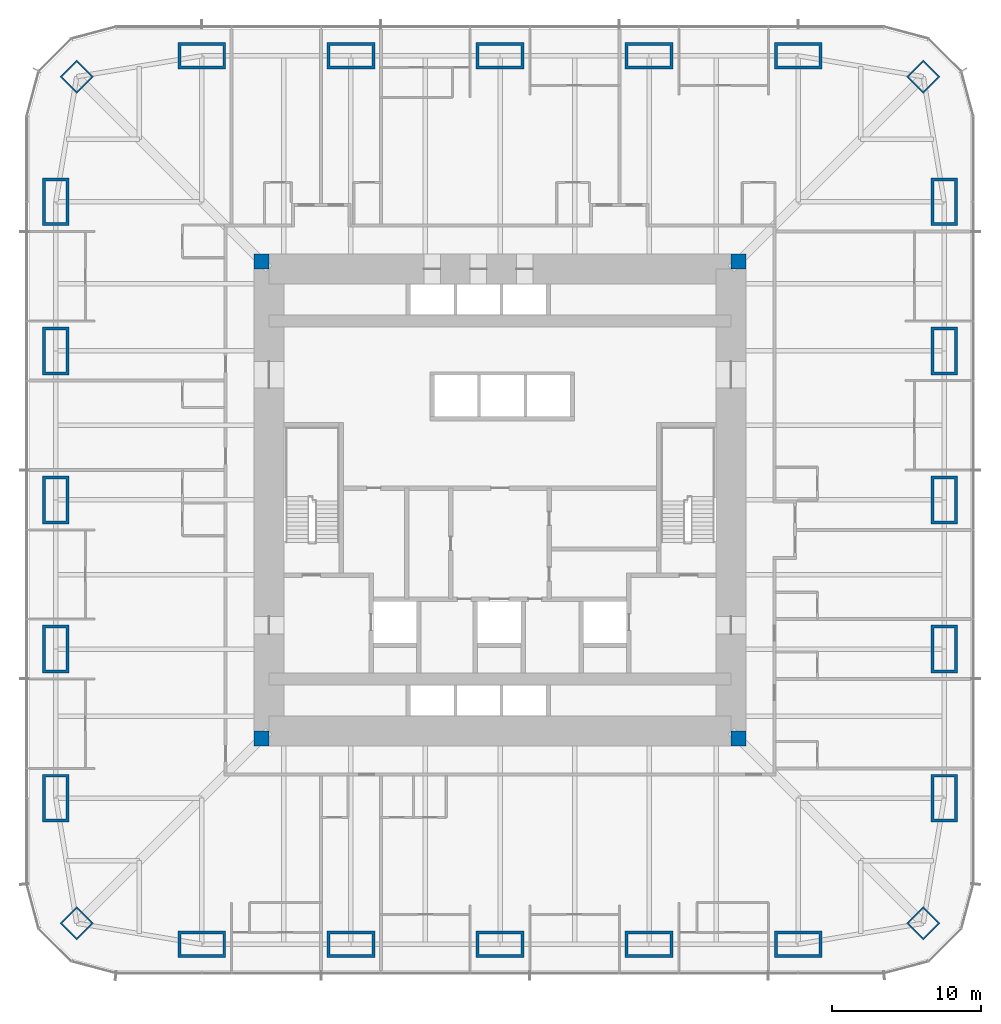
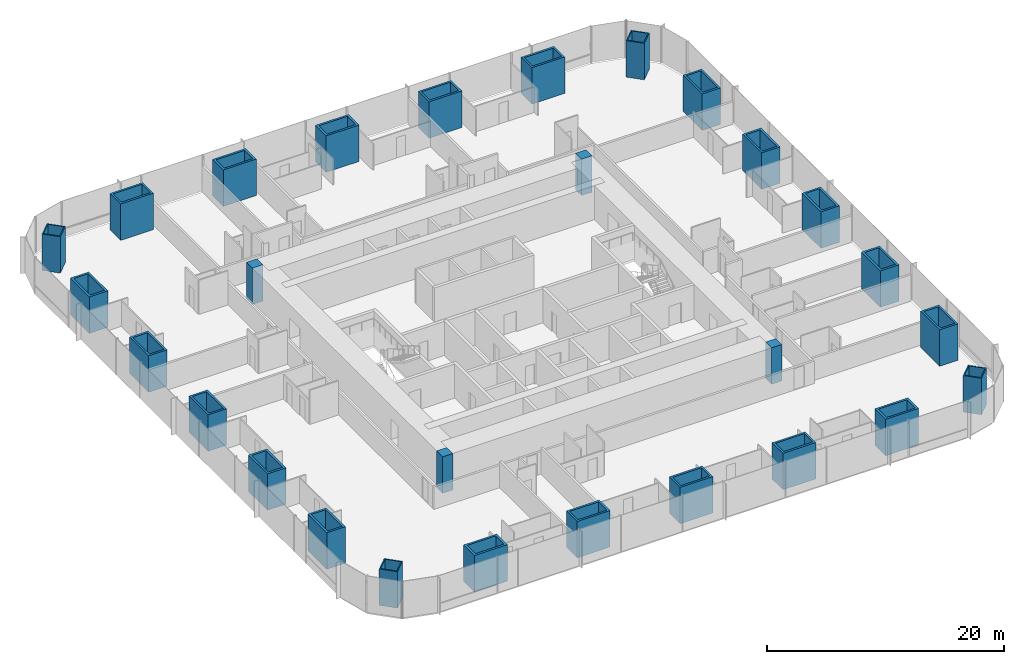
# One storey, part 1 of 17: 28 columns.
"""IFC4 building model written with IfcOpenShell, lengths in metres."""

import ifcopenshell
import ifcopenshell.guid

model = None  # the IFC model being written
_history = None  # IfcOwnerHistory: only IFC2X3 demands one
_inside = {}  # id of a spatial element -> (the spatial element, [elements in it])
_under = {}  # id of a project, library or spatial element -> (it, [spatial elements below it])
_declared = {}  # id of a project -> (the project, [libraries it declares])
_typed = {}  # id of a type object -> (the type object, [elements of that type])
_made_of = {}  # id of a material, layer set ... -> (it, [elements and type objects made of it])


def new_model(schema):
    """Start an empty IFC model of exactly this schema.

    Asked for "IFC4X3", IfcOpenShell would pick the latest addendum, in which some entities
    have other attributes; the version numbers below select the first issue.
    IFC2X3 requires an IfcOwnerHistory on every rooted entity: one is made here for all.
    """
    global model, _history
    if schema == "IFC4X3":
        model = ifcopenshell.file(schema_version=(4, 3, 0, 0))
    else:
        model = ifcopenshell.file(schema=schema)
    _inside.clear()
    _under.clear()
    _declared.clear()
    _typed.clear()
    _made_of.clear()
    _history = None
    if model.schema == "IFC2X3":
        org = make("IfcOrganization", Name="unknown")
        user = make(
            "IfcPersonAndOrganization",
            ThePerson=make("IfcPerson", FamilyName="unknown"),
            TheOrganization=org,
        )
        app = make(
            "IfcApplication",
            ApplicationDeveloper=org,
            Version="unknown",
            ApplicationFullName="unknown",
            ApplicationIdentifier="unknown",
        )
        _history = make(
            "IfcOwnerHistory",
            OwningUser=user,
            OwningApplication=app,
            ChangeAction="ADDED",
            CreationDate=0,
        )
    return model


def make(cls, **values):
    """One entity of the class cls with the attributes given. An attribute that is None is left unset."""
    return model.create_entity(
        cls, **{name: value for name, value in values.items() if value is not None}
    )


def rooted(cls, **values):
    """An entity with a GlobalId (a new one), such as an element, a storey or a relation."""
    return make(cls, GlobalId=ifcopenshell.guid.new(), OwnerHistory=_history, **values)


def si_unit(unit_type, name, prefix=None):
    """IfcSIUnit, for example si_unit("LENGTHUNIT", "METRE", prefix="MILLI")."""
    return make("IfcSIUnit", UnitType=unit_type, Prefix=prefix, Name=name)


def assignment(units):
    """IfcUnitAssignment: the units of a project."""
    return None if units is None else make("IfcUnitAssignment", Units=units)


def point(xyz):
    """IfcCartesianPoint."""
    return None if xyz is None else make("IfcCartesianPoint", Coordinates=xyz)


def direction(xyz):
    """IfcDirection."""
    return None if xyz is None else make("IfcDirection", DirectionRatios=xyz)


def frame(location, z_axis=None, x_axis=None):
    """IfcAxis2Placement3D, a coordinate frame: its origin and axes. An axis left out is left unset."""
    return make(
        "IfcAxis2Placement3D",
        Location=point(location),
        Axis=direction(z_axis),
        RefDirection=direction(x_axis),
    )


def frame_2d(location, x_axis=None):
    """IfcAxis2Placement2D, a coordinate frame in the plane: its origin and x axis."""
    return make(
        "IfcAxis2Placement2D", Location=point(location), RefDirection=direction(x_axis)
    )


def origin():
    """The frame at (0, 0, 0) with its axes left unset."""
    return frame((0.0, 0.0, 0.0))


def origin_2d():
    """The frame at (0, 0) in the plane with its x axis left unset."""
    return frame_2d((0.0, 0.0))


def place(relative_to, where):
    """IfcLocalPlacement: puts the frame where relative to a parent placement (None: the world)."""
    return make(
        "IfcLocalPlacement", PlacementRelTo=relative_to, RelativePlacement=where
    )


def context(
    kind, dimensions, precision=None, world=None, true_north=None, identifier=None
):
    """IfcGeometricRepresentationContext, for example the 3D "Model" context."""
    return make(
        "IfcGeometricRepresentationContext",
        ContextIdentifier=identifier,
        ContextType=kind,
        CoordinateSpaceDimension=dimensions,
        Precision=precision,
        WorldCoordinateSystem=world,
        TrueNorth=true_north,
    )


def subcontext(parent, identifier, kind, view, scale=None):
    """IfcGeometricRepresentationSubContext, for example "Body" below "Model"."""
    return make(
        "IfcGeometricRepresentationSubContext",
        ContextIdentifier=identifier,
        ContextType=kind,
        ParentContext=parent,
        TargetScale=scale,
        TargetView=view,
    )


def project(units=None, contexts=None):
    """IfcProject with its units and contexts."""
    return rooted(
        "IfcProject",
        Name="project",
        RepresentationContexts=contexts,
        UnitsInContext=assignment(units),
    )


def spatial(cls, under=None, at=None, **own):
    """A site, building, storey or space (cls), placed at a placement, below another one or the project."""
    s = rooted(cls, ObjectPlacement=at, **own)
    if under is not None:
        _under.setdefault(under.id(), (under, []))[1].append(s)
    return s


def profile(cls, at=None, kind="AREA", **sizes):
    """A parametric profile (cls). Its sizes go by their IFC names, for example OverallWidth=200.0."""
    return make(cls, ProfileType=kind, Position=at, **sizes)


def rectangle(**sizes):
    """IfcRectangleProfileDef."""
    return profile("IfcRectangleProfileDef", **sizes)


def hollow_rectangle(**sizes):
    """IfcRectangleHollowProfileDef."""
    return profile("IfcRectangleHollowProfileDef", **sizes)


def extrude(swept, where, along, depth):
    """IfcExtrudedAreaSolid: the profile swept, set in the frame where, extruded along a direction by depth."""
    return make(
        "IfcExtrudedAreaSolid",
        SweptArea=swept,
        Position=where,
        ExtrudedDirection=direction(along),
        Depth=depth,
    )


def shape(context_of_items, identifier, shape_type, items):
    """IfcShapeRepresentation: the items that make up one representation, for example the "Body"."""
    return make(
        "IfcShapeRepresentation",
        ContextOfItems=context_of_items,
        RepresentationIdentifier=identifier,
        RepresentationType=shape_type,
        Items=items,
    )


def material(Name=None, Category=None):
    """IfcMaterial."""
    return make("IfcMaterial", Name=Name, Category=Category)


def material_profile(
    of_material, cross_section, Name=None, Category=None, Priority=None
):
    """IfcMaterialProfile: a cross section and its material."""
    return make(
        "IfcMaterialProfile",
        Name=Name,
        Material=of_material,
        Profile=cross_section,
        Priority=Priority,
        Category=Category,
    )


def profile_set(profiles, Name=None, composite=None):
    """IfcMaterialProfileSet."""
    return make(
        "IfcMaterialProfileSet",
        Name=Name,
        MaterialProfiles=profiles,
        CompositeProfile=composite,
    )


def made_of(thing, what):
    """Note that an element or type object is made of a material, layer set ...; save() writes the relation."""
    if what is not None:
        _made_of.setdefault(what.id(), (what, []))[1].append(thing)
    return thing


def type_object(cls, material=None, **own):
    """A type object (cls), such as IfcWallType, which elements share."""
    return made_of(rooted(cls, **own), material)


def element(
    cls,
    number,
    at=None,
    inside=None,
    cuts=None,
    type_object=None,
    material=None,
    context=None,
    identifier="Body",
    shape_type=None,
    held_by="IfcProductDefinitionShape",
    body=None,
    shapes=None,
    **own,
):
    """One element of the class cls, such as IfcWall. Its Tag is "e" and its number.

    at: its placement. inside: the storey or other place that contains it. cuts: it is an
    opening in that element (IfcRelVoidsElement). A single representation is given by context,
    identifier, shape_type and body (its items); several are given by shapes. held_by: the class
    of the entity that holds the representations. save() writes the other relations.
    """
    e = rooted(cls, Tag="e%d" % number, ObjectPlacement=at, **own)
    if body is not None:
        shapes = [shape(context, identifier, shape_type, body)]
    if shapes is not None:
        e.Representation = make(held_by, Representations=shapes)
    if inside is not None:
        _inside.setdefault(inside.id(), (inside, []))[1].append(e)
    if cuts is not None:
        rooted(
            "IfcRelVoidsElement", RelatingBuildingElement=cuts, RelatedOpeningElement=e
        )
    if type_object is not None:
        _typed.setdefault(type_object.id(), (type_object, []))[1].append(e)
    return made_of(e, material)


def aggregate(whole, parts):
    """IfcRelAggregates: a whole, such as a stair, and the parts it consists of."""
    return rooted("IfcRelAggregates", RelatingObject=whole, RelatedObjects=parts)


def save(model, path):
    """Write the relations noted so far, then the file.

    IfcRelAggregates (storeys below a building ...), IfcRelContainedInSpatialStructure (elements
    in a storey), IfcRelDefinesByType, IfcRelAssociatesMaterial and IfcRelDeclares: one each for
    every whole, place, type object, material and project.
    """
    for whole, parts in _under.values():
        aggregate(whole, parts)
    for where, things in _inside.values():
        rooted(
            "IfcRelContainedInSpatialStructure",
            RelatedElements=things,
            RelatingStructure=where,
        )
    for kind, things in _typed.values():
        rooted("IfcRelDefinesByType", RelatedObjects=things, RelatingType=kind)
    for what, things in _made_of.values():
        rooted("IfcRelAssociatesMaterial", RelatedObjects=things, RelatingMaterial=what)
    for by, libraries in _declared.values():
        rooted("IfcRelDeclares", RelatingContext=by, RelatedDefinitions=libraries)
    model.write(path)


model = new_model("IFC4")

# Units and contexts
model_context = context("Model", 3, precision=1e-05, world=origin(), true_north=direction((0.0, 1.0)))
body_context = subcontext(model_context, "Body", "Model", "MODEL_VIEW")
ifc_project = project(units=[si_unit("LENGTHUNIT", "METRE"), si_unit("AREAUNIT", "SQUARE_METRE"), si_unit("VOLUMEUNIT", "CUBIC_METRE"), si_unit("PLANEANGLEUNIT", "RADIAN"), si_unit("MASSUNIT", "GRAM", prefix="KILO")], contexts=[model_context])

# Site, building, storey
site_placement = place(None, origin())
site = spatial("IfcSite", under=ifc_project, at=site_placement, CompositionType="ELEMENT")
building_placement = place(site_placement, origin())
building = spatial("IfcBuilding", under=site, at=building_placement, Name="Khuree Lantern Residences", CompositionType="ELEMENT")
storey_placement = place(building_placement, frame((0.0, 0.0, 39.75)))
storey = spatial("IfcBuildingStorey", under=building, at=storey_placement, Name="L09", CompositionType="ELEMENT", Elevation=39.75)

# Columns
ifc_material_1 = material(Name="Steel S355 CFT welded box", Category="steel")
ifc_material_profile_1 = material_profile(ifc_material_1, hollow_rectangle(XDim=1.60009765625, YDim=1.60009765625, WallThickness=0.10009765625, at=origin_2d()), Name="WELDED BOX 1600X1600X100")
ifc_profile_set_1 = profile_set([ifc_material_profile_1], Name="Steel S355 CFT welded box")
column_type_1 = type_object("IfcColumnType", Name="CC1600 PERIMETER CORNER MEGA COLUMN WELDED BOX 1600X1600X100", PredefinedType="COLUMN", material=ifc_profile_set_1)
for number, where, z_axis, x_axis, name in (
    (1, (28.39404296875, 28.39404296875, 0.0), (0.0, 0.0, 1.0), (0.707106781187, -0.707106781187, 0.0), "Perimeter column NE"),
    (2, (28.39404296875, -28.39404296875, 0.0), (0.0, 0.0, 1.0), (0.707106781187, 0.707106781187, 0.0), "Perimeter column SE"),
    (3, (-28.39404296875, -28.39404296875, 0.0), (0.0, 0.0, 1.0), (0.707106781187, -0.707106781187, 0.0), "Perimeter column SW"),
    (4, (-28.39404296875, 28.39404296875, 0.0), (0.0, 0.0, 1.0), (0.707106781187, 0.707106781187, 0.0), "Perimeter column NW"),
):
    element("IfcColumn", number, at=place(storey_placement, frame(where, z_axis=z_axis, x_axis=x_axis)), inside=storey, type_object=column_type_1, Name=name, PredefinedType="COLUMN", context=body_context, shape_type="SweptSolid", body=[
        extrude(hollow_rectangle(XDim=1.60009765625, YDim=1.60009765625, WallThickness=0.10009765625, at=origin_2d()), origin(), (0.0, 0.0, 1.0), 3.75),
    ])
ifc_material_2 = material(Name="Concrete C70/85", Category="concrete")
ifc_material_profile_2 = material_profile(ifc_material_2, rectangle(XDim=1.0, YDim=1.0, at=origin_2d()), Name="RC 1000X1000")
ifc_profile_set_2 = profile_set([ifc_material_profile_2], Name="Concrete C70/85")
column_type_2 = type_object("IfcColumnType", Name="CP1000-C70 CORE CORNER PIER C70 RC 1000X1000", PredefinedType="COLUMN", material=ifc_profile_set_2)
for number, where, z_axis, x_axis, name in (
    (5, (16.0, 16.0, -0.25), (0.0, 0.0, 1.0), (1.0, 0.0, 0.0), "Core corner pier NE"),
    (6, (-16.0, 16.0, -0.25), (0.0, 0.0, 1.0), (1.0, 0.0, 0.0), "Core corner pier NW"),
    (7, (-16.0, -16.0, -0.25), (0.0, 0.0, 1.0), (1.0, 0.0, 0.0), "Core corner pier SW"),
    (8, (16.0, -16.0, -0.25), (0.0, 0.0, 1.0), (1.0, 0.0, 0.0), "Core corner pier SE"),
):
    element("IfcColumn", number, at=place(storey_placement, frame(where, z_axis=z_axis, x_axis=x_axis)), inside=storey, type_object=column_type_2, Name=name, PredefinedType="COLUMN", context=body_context, shape_type="SweptSolid", body=[
        extrude(rectangle(XDim=1.0, YDim=1.0, at=origin_2d()), origin(), (0.0, 0.0, 1.0), 3.75),
    ])
ifc_material_profile_3 = material_profile(ifc_material_1, hollow_rectangle(XDim=3.199951171875, YDim=1.800048828125, WallThickness=0.199951171875, at=origin_2d()), Name="WELDED BOX 3200X1800X200")
ifc_profile_set_3 = profile_set([ifc_material_profile_3], Name="Steel S355 CFT welded box")
column_type_3 = type_object("IfcColumnType", Name="SC1 PERIMETER MEGA COLUMN WELDED BOX 3200X1800X200", PredefinedType="COLUMN", material=ifc_profile_set_3)
for number, where, z_axis, x_axis, name in (
    (9, (-20.0, 29.800048828125, 0.0), (0.0, 0.0, 1.0), (1.0, 0.0, 0.0), "Perimeter column N1"),
    (10, (-10.0, 29.800048828125, 0.0), (0.0, 0.0, 1.0), (1.0, 0.0, 0.0), "Perimeter column N2"),
    (11, (0.0, 29.800048828125, 0.0), (0.0, 0.0, 1.0), (1.0, 0.0, 0.0), "Perimeter column N3"),
    (12, (10.0, 29.800048828125, 0.0), (0.0, 0.0, 1.0), (1.0, 0.0, 0.0), "Perimeter column N4"),
    (13, (20.0, 29.800048828125, 0.0), (0.0, 0.0, 1.0), (1.0, 0.0, 0.0), "Perimeter column N5"),
    (14, (29.800048828125, 20.0, 0.0), (0.0, 0.0, 1.0), (0.0, 1.0, 0.0), "Perimeter column E1"),
    (15, (29.800048828125, 10.0, 0.0), (0.0, 0.0, 1.0), (0.0, 1.0, 0.0), "Perimeter column E2"),
    (16, (29.800048828125, 0.0, 0.0), (0.0, 0.0, 1.0), (0.0, 1.0, 0.0), "Perimeter column E3"),
    (17, (29.800048828125, -10.0, 0.0), (0.0, 0.0, 1.0), (0.0, 1.0, 0.0), "Perimeter column E4"),
    (18, (29.800048828125, -20.0, 0.0), (0.0, 0.0, 1.0), (0.0, 1.0, 0.0), "Perimeter column E5"),
    (19, (20.0, -29.800048828125, 0.0), (0.0, 0.0, 1.0), (1.0, 0.0, 0.0), "Perimeter column S1"),
    (20, (10.0, -29.800048828125, 0.0), (0.0, 0.0, 1.0), (1.0, 0.0, 0.0), "Perimeter column S2"),
    (21, (0.0, -29.800048828125, 0.0), (0.0, 0.0, 1.0), (1.0, 0.0, 0.0), "Perimeter column S3"),
    (22, (-10.0, -29.800048828125, 0.0), (0.0, 0.0, 1.0), (1.0, 0.0, 0.0), "Perimeter column S4"),
    (23, (-20.0, -29.800048828125, 0.0), (0.0, 0.0, 1.0), (1.0, 0.0, 0.0), "Perimeter column S5"),
    (24, (-29.800048828125, -20.0, 0.0), (0.0, 0.0, 1.0), (0.0, 1.0, 0.0), "Perimeter column W1"),
    (25, (-29.800048828125, -10.0, 0.0), (0.0, 0.0, 1.0), (0.0, 1.0, 0.0), "Perimeter column W2"),
    (26, (-29.800048828125, 0.0, 0.0), (0.0, 0.0, 1.0), (0.0, 1.0, 0.0), "Perimeter column W3"),
    (27, (-29.800048828125, 10.0, 0.0), (0.0, 0.0, 1.0), (0.0, 1.0, 0.0), "Perimeter column W4"),
    (28, (-29.800048828125, 20.0, 0.0), (0.0, 0.0, 1.0), (0.0, 1.0, 0.0), "Perimeter column W5"),
):
    element("IfcColumn", number, at=place(storey_placement, frame(where, z_axis=z_axis, x_axis=x_axis)), inside=storey, type_object=column_type_3, Name=name, PredefinedType="COLUMN", context=body_context, shape_type="SweptSolid", body=[
        extrude(hollow_rectangle(XDim=3.199951171875, YDim=1.800048828125, WallThickness=0.199951171875, at=origin_2d()), origin(), (0.0, 0.0, 1.0), 3.75),
    ])

save(model, "model.ifc")
